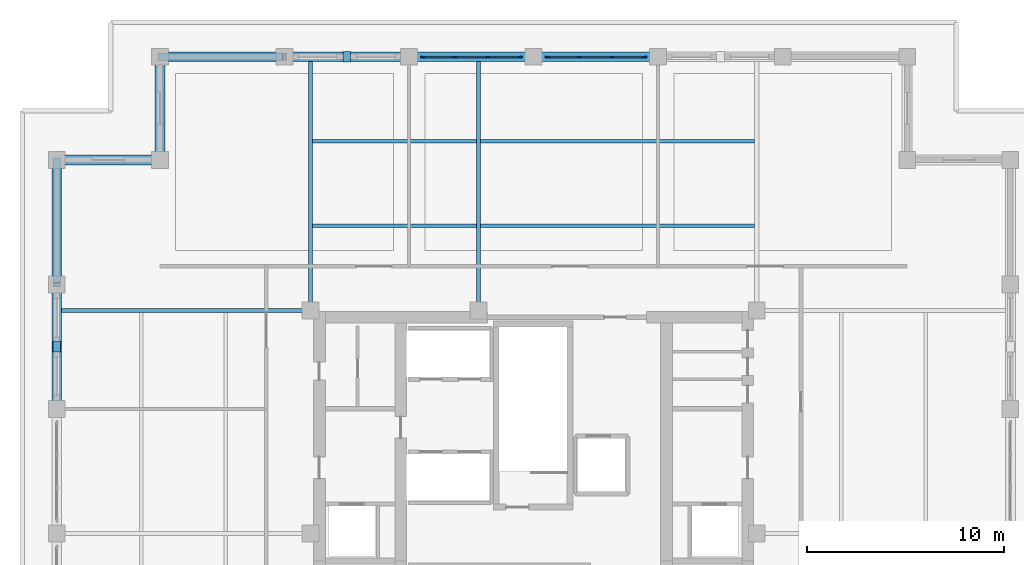
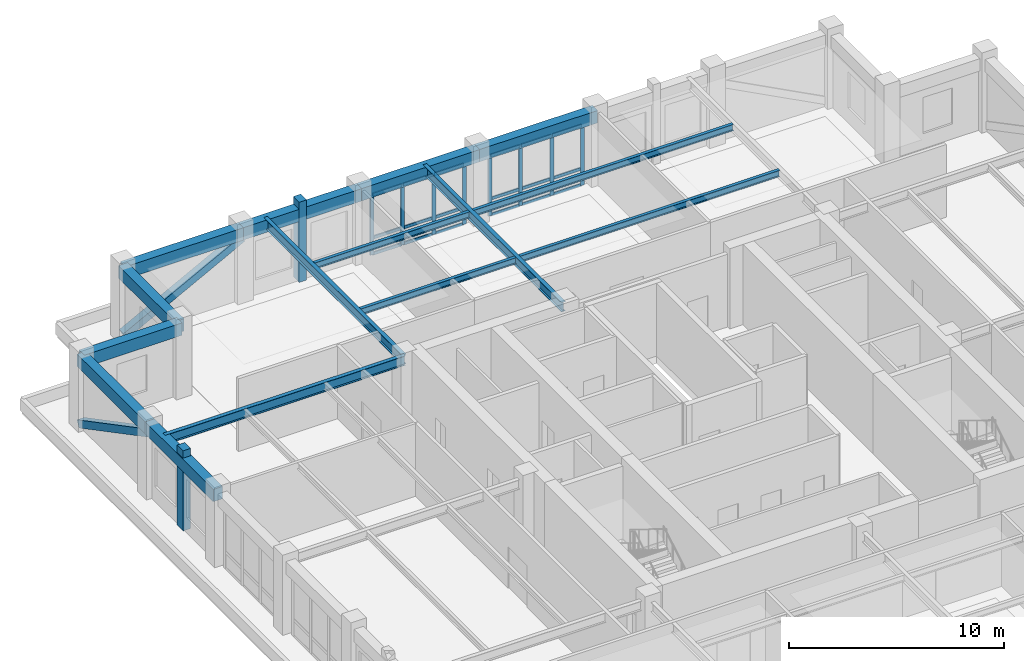
# One storey, part 5 of 14: 30 members, 15 beams, 2 elements without a shape of their own.
"""IFC4 building model written with IfcOpenShell, lengths in metres."""

import ifcopenshell
import ifcopenshell.guid

model = None  # the IFC model being written
_history = None  # IfcOwnerHistory: only IFC2X3 demands one
_inside = {}  # id of a spatial element -> (the spatial element, [elements in it])
_under = {}  # id of a project, library or spatial element -> (it, [spatial elements below it])
_declared = {}  # id of a project -> (the project, [libraries it declares])
_typed = {}  # id of a type object -> (the type object, [elements of that type])
_made_of = {}  # id of a material, layer set ... -> (it, [elements and type objects made of it])


def new_model(schema):
    """Start an empty IFC model of exactly this schema.

    Asked for "IFC4X3", IfcOpenShell would pick the latest addendum, in which some entities
    have other attributes; the version numbers below select the first issue.
    IFC2X3 requires an IfcOwnerHistory on every rooted entity: one is made here for all.
    """
    global model, _history
    if schema == "IFC4X3":
        model = ifcopenshell.file(schema_version=(4, 3, 0, 0))
    else:
        model = ifcopenshell.file(schema=schema)
    _inside.clear()
    _under.clear()
    _declared.clear()
    _typed.clear()
    _made_of.clear()
    _history = None
    if model.schema == "IFC2X3":
        org = make("IfcOrganization", Name="unknown")
        user = make(
            "IfcPersonAndOrganization",
            ThePerson=make("IfcPerson", FamilyName="unknown"),
            TheOrganization=org,
        )
        app = make(
            "IfcApplication",
            ApplicationDeveloper=org,
            Version="unknown",
            ApplicationFullName="unknown",
            ApplicationIdentifier="unknown",
        )
        _history = make(
            "IfcOwnerHistory",
            OwningUser=user,
            OwningApplication=app,
            ChangeAction="ADDED",
            CreationDate=0,
        )
    return model


def make(cls, **values):
    """One entity of the class cls with the attributes given. An attribute that is None is left unset."""
    return model.create_entity(
        cls, **{name: value for name, value in values.items() if value is not None}
    )


def rooted(cls, **values):
    """An entity with a GlobalId (a new one), such as an element, a storey or a relation."""
    return make(cls, GlobalId=ifcopenshell.guid.new(), OwnerHistory=_history, **values)


def si_unit(unit_type, name, prefix=None):
    """IfcSIUnit, for example si_unit("LENGTHUNIT", "METRE", prefix="MILLI")."""
    return make("IfcSIUnit", UnitType=unit_type, Prefix=prefix, Name=name)


def assignment(units):
    """IfcUnitAssignment: the units of a project."""
    return None if units is None else make("IfcUnitAssignment", Units=units)


def point(xyz):
    """IfcCartesianPoint."""
    return None if xyz is None else make("IfcCartesianPoint", Coordinates=xyz)


def direction(xyz):
    """IfcDirection."""
    return None if xyz is None else make("IfcDirection", DirectionRatios=xyz)


def frame(location, z_axis=None, x_axis=None):
    """IfcAxis2Placement3D, a coordinate frame: its origin and axes. An axis left out is left unset."""
    return make(
        "IfcAxis2Placement3D",
        Location=point(location),
        Axis=direction(z_axis),
        RefDirection=direction(x_axis),
    )


def frame_2d(location, x_axis=None):
    """IfcAxis2Placement2D, a coordinate frame in the plane: its origin and x axis."""
    return make(
        "IfcAxis2Placement2D", Location=point(location), RefDirection=direction(x_axis)
    )


def origin():
    """The frame at (0, 0, 0) with its axes left unset."""
    return frame((0.0, 0.0, 0.0))


def origin_2d():
    """The frame at (0, 0) in the plane with its x axis left unset."""
    return frame_2d((0.0, 0.0))


def place(relative_to, where):
    """IfcLocalPlacement: puts the frame where relative to a parent placement (None: the world)."""
    return make(
        "IfcLocalPlacement", PlacementRelTo=relative_to, RelativePlacement=where
    )


def context(
    kind, dimensions, precision=None, world=None, true_north=None, identifier=None
):
    """IfcGeometricRepresentationContext, for example the 3D "Model" context."""
    return make(
        "IfcGeometricRepresentationContext",
        ContextIdentifier=identifier,
        ContextType=kind,
        CoordinateSpaceDimension=dimensions,
        Precision=precision,
        WorldCoordinateSystem=world,
        TrueNorth=true_north,
    )


def subcontext(parent, identifier, kind, view, scale=None):
    """IfcGeometricRepresentationSubContext, for example "Body" below "Model"."""
    return make(
        "IfcGeometricRepresentationSubContext",
        ContextIdentifier=identifier,
        ContextType=kind,
        ParentContext=parent,
        TargetScale=scale,
        TargetView=view,
    )


def project(units=None, contexts=None):
    """IfcProject with its units and contexts."""
    return rooted(
        "IfcProject",
        Name="project",
        RepresentationContexts=contexts,
        UnitsInContext=assignment(units),
    )


def spatial(cls, under=None, at=None, **own):
    """A site, building, storey or space (cls), placed at a placement, below another one or the project."""
    s = rooted(cls, ObjectPlacement=at, **own)
    if under is not None:
        _under.setdefault(under.id(), (under, []))[1].append(s)
    return s


def profile(cls, at=None, kind="AREA", **sizes):
    """A parametric profile (cls). Its sizes go by their IFC names, for example OverallWidth=200.0."""
    return make(cls, ProfileType=kind, Position=at, **sizes)


def rectangle(**sizes):
    """IfcRectangleProfileDef."""
    return profile("IfcRectangleProfileDef", **sizes)


def hollow_rectangle(**sizes):
    """IfcRectangleHollowProfileDef."""
    return profile("IfcRectangleHollowProfileDef", **sizes)


def i_section(**sizes):
    """IfcIShapeProfileDef."""
    return profile("IfcIShapeProfileDef", **sizes)


def extrude(swept, where, along, depth):
    """IfcExtrudedAreaSolid: the profile swept, set in the frame where, extruded along a direction by depth."""
    return make(
        "IfcExtrudedAreaSolid",
        SweptArea=swept,
        Position=where,
        ExtrudedDirection=direction(along),
        Depth=depth,
    )


def shape(context_of_items, identifier, shape_type, items):
    """IfcShapeRepresentation: the items that make up one representation, for example the "Body"."""
    return make(
        "IfcShapeRepresentation",
        ContextOfItems=context_of_items,
        RepresentationIdentifier=identifier,
        RepresentationType=shape_type,
        Items=items,
    )


def material(Name=None, Category=None):
    """IfcMaterial."""
    return make("IfcMaterial", Name=Name, Category=Category)


def layer(
    of_material, thickness, ventilated=None, Name=None, Category=None, Priority=None
):
    """IfcMaterialLayer: one layer of a wall or slab, of a material (None: an air gap)."""
    return make(
        "IfcMaterialLayer",
        Material=of_material,
        LayerThickness=thickness,
        IsVentilated=ventilated,
        Name=Name,
        Category=Category,
        Priority=Priority,
    )


def layer_set(layers, Name=None):
    """IfcMaterialLayerSet."""
    return make("IfcMaterialLayerSet", MaterialLayers=layers, LayerSetName=Name)


def material_profile(
    of_material, cross_section, Name=None, Category=None, Priority=None
):
    """IfcMaterialProfile: a cross section and its material."""
    return make(
        "IfcMaterialProfile",
        Name=Name,
        Material=of_material,
        Profile=cross_section,
        Priority=Priority,
        Category=Category,
    )


def profile_set(profiles, Name=None, composite=None):
    """IfcMaterialProfileSet."""
    return make(
        "IfcMaterialProfileSet",
        Name=Name,
        MaterialProfiles=profiles,
        CompositeProfile=composite,
    )


def made_of(thing, what):
    """Note that an element or type object is made of a material, layer set ...; save() writes the relation."""
    if what is not None:
        _made_of.setdefault(what.id(), (what, []))[1].append(thing)
    return thing


def type_object(cls, material=None, **own):
    """A type object (cls), such as IfcWallType, which elements share."""
    return made_of(rooted(cls, **own), material)


def element(
    cls,
    number,
    at=None,
    inside=None,
    cuts=None,
    type_object=None,
    material=None,
    context=None,
    identifier="Body",
    shape_type=None,
    held_by="IfcProductDefinitionShape",
    body=None,
    shapes=None,
    **own,
):
    """One element of the class cls, such as IfcWall. Its Tag is "e" and its number.

    at: its placement. inside: the storey or other place that contains it. cuts: it is an
    opening in that element (IfcRelVoidsElement). A single representation is given by context,
    identifier, shape_type and body (its items); several are given by shapes. held_by: the class
    of the entity that holds the representations. save() writes the other relations.
    """
    e = rooted(cls, Tag="e%d" % number, ObjectPlacement=at, **own)
    if body is not None:
        shapes = [shape(context, identifier, shape_type, body)]
    if shapes is not None:
        e.Representation = make(held_by, Representations=shapes)
    if inside is not None:
        _inside.setdefault(inside.id(), (inside, []))[1].append(e)
    if cuts is not None:
        rooted(
            "IfcRelVoidsElement", RelatingBuildingElement=cuts, RelatedOpeningElement=e
        )
    if type_object is not None:
        _typed.setdefault(type_object.id(), (type_object, []))[1].append(e)
    return made_of(e, material)


def aggregate(whole, parts):
    """IfcRelAggregates: a whole, such as a stair, and the parts it consists of."""
    return rooted("IfcRelAggregates", RelatingObject=whole, RelatedObjects=parts)


def save(model, path):
    """Write the relations noted so far, then the file.

    IfcRelAggregates (storeys below a building ...), IfcRelContainedInSpatialStructure (elements
    in a storey), IfcRelDefinesByType, IfcRelAssociatesMaterial and IfcRelDeclares: one each for
    every whole, place, type object, material and project.
    """
    for whole, parts in _under.values():
        aggregate(whole, parts)
    for where, things in _inside.values():
        rooted(
            "IfcRelContainedInSpatialStructure",
            RelatedElements=things,
            RelatingStructure=where,
        )
    for kind, things in _typed.values():
        rooted("IfcRelDefinesByType", RelatedObjects=things, RelatingType=kind)
    for what, things in _made_of.values():
        rooted("IfcRelAssociatesMaterial", RelatedObjects=things, RelatingMaterial=what)
    for by, libraries in _declared.values():
        rooted("IfcRelDeclares", RelatingContext=by, RelatedDefinitions=libraries)
    model.write(path)


model = new_model("IFC4")

# Units and contexts
model_context = context("Model", 3, precision=1e-05, world=origin(), true_north=direction((0.0, 1.0)))
body_context = subcontext(model_context, "Body", "Model", "MODEL_VIEW")
ifc_project = project(units=[si_unit("LENGTHUNIT", "METRE"), si_unit("AREAUNIT", "SQUARE_METRE"), si_unit("VOLUMEUNIT", "CUBIC_METRE"), si_unit("PLANEANGLEUNIT", "RADIAN"), si_unit("MASSUNIT", "GRAM", prefix="KILO")], contexts=[model_context])

# Site, building, storey
site_placement = place(None, origin())
site = spatial("IfcSite", under=ifc_project, at=site_placement, CompositionType="ELEMENT")
building_placement = place(site_placement, origin())
building = spatial("IfcBuilding", under=site, at=building_placement, Name="Nhamokura Convention Tower", CompositionType="ELEMENT")
storey_placement = place(building_placement, frame((0.0, 0.0, 182.35009765625)))
storey = spatial("IfcBuildingStorey", under=building, at=storey_placement, Name="L44", CompositionType="ELEMENT", Elevation=182.35009765625)

# Members
ifc_material_1 = material(Name="Bronze-pigmented precast concrete C45/55", Category="concrete")
ifc_material_profile_1 = material_profile(ifc_material_1, rectangle(XDim=0.39990234375, YDim=0.550048828125, at=origin_2d()))
ifc_profile_set_1 = profile_set([ifc_material_profile_1], Name="Bronze-pigmented precast concrete C45/55")
member_type_1 = type_object("IfcMemberType", Name="BronzePilaster_550", PredefinedType="USERDEFINED", material=ifc_profile_set_1)
for number, where, z_axis, x_axis, name in (
    (1, (22.5, 56.25, 0.0), (0.0, 0.0, 1.0), (1.0, 0.0, 0.0), "L44 Engaged Frame Pilaster NORTH 1"),
    (2, (7.75, 41.5, 0.0), (0.0, 0.0, 1.0), (1.0, 0.0, 0.0), "L44 Engaged Frame Pilaster WEST 4"),
):
    element("IfcMember", number, at=place(storey_placement, frame(where, z_axis=z_axis, x_axis=x_axis)), inside=storey, type_object=member_type_1, Name=name, ObjectType="PILASTER_TRIM", PredefinedType="USERDEFINED", context=body_context, shape_type="SweptSolid", body=[
        extrude(rectangle(XDim=0.39990234375, YDim=0.550048828125, at=origin_2d()), origin(), (0.0, 0.0, 1.0), 4.5498046875),
    ])

# Curtain wall, members
ifc_material_2 = material(Name="Anodised bronze aluminium AA6063-T6", Category="aluminium")
ifc_layer = layer(ifc_material_2, 0.18994140625)
ifc_layer_set = layer_set([ifc_layer], Name="CWSystem_SkyLobby")
curtain_wall_type = type_object("IfcCurtainWallType", Name="CWSystem_SkyLobby", PredefinedType="NOTDEFINED", material=ifc_layer_set)
curtain_wall_1_placement = place(storey_placement, origin())
curtain_wall_1 = element("IfcCurtainWall", 3, at=curtain_wall_1_placement, inside=storey, type_object=curtain_wall_type, Name="L44 Curtain Wall ENV-L44-CW-N2", PredefinedType="NOTDEFINED")
ifc_material_3 = material(Name="Anodised bronze aluminium AA6063-T6", Category="aluminium")
ifc_material_profile_2 = material_profile(ifc_material_3, rectangle(XDim=0.074951171875, YDim=0.199951171875, at=origin_2d()))
ifc_profile_set_2 = profile_set([ifc_material_profile_2], Name="Anodised bronze aluminium AA6063-T6")
member_type_2 = type_object("IfcMemberType", Name="CWMullion_2", PredefinedType="MULLION", material=ifc_profile_set_2)
member_1_placement = place(storey_placement, frame((26.354248046875, 56.25, 0.0), z_axis=(0.0, 0.0, 1.0), x_axis=(0.0, 1.0, 0.0)))
member_1 = element("IfcMember", 4, at=member_1_placement, type_object=member_type_2, Name="CW-06 mullion 1", PredefinedType="MULLION", context=body_context, shape_type="SweptSolid", body=[
    extrude(rectangle(XDim=0.074951171875, YDim=0.199951171875, at=origin_2d()), origin(), (0.0, 0.0, 1.0), 3.429931640625),
])
member_2_placement = place(storey_placement, frame((27.994384765625, 56.25, 0.0), z_axis=(0.0, 0.0, 1.0), x_axis=(0.0, 1.0, 0.0)))
member_2 = element("IfcMember", 5, at=member_2_placement, type_object=member_type_2, Name="CW-06 mullion 2", PredefinedType="MULLION", context=body_context, shape_type="SweptSolid", body=[
    extrude(rectangle(XDim=0.074951171875, YDim=0.199951171875, at=origin_2d()), origin(), (0.0, 0.0, 1.0), 3.429931640625),
])
member_3_placement = place(storey_placement, frame((29.672119140625, 56.25, 0.0), z_axis=(0.0, 0.0, 1.0), x_axis=(0.0, 1.0, 0.0)))
member_3 = element("IfcMember", 6, at=member_3_placement, type_object=member_type_2, Name="CW-06 mullion 3", PredefinedType="MULLION", context=body_context, shape_type="SweptSolid", body=[
    extrude(rectangle(XDim=0.074951171875, YDim=0.199951171875, at=origin_2d()), origin(), (0.0, 0.0, 1.0), 3.429931640625),
])
member_4_placement = place(storey_placement, frame((31.3125, 56.25, 0.0), z_axis=(0.0, 0.0, 1.0), x_axis=(0.0, 1.0, 0.0)))
member_4 = element("IfcMember", 7, at=member_4_placement, type_object=member_type_2, Name="CW-06 mullion 4", PredefinedType="MULLION", context=body_context, shape_type="SweptSolid", body=[
    extrude(rectangle(XDim=0.074951171875, YDim=0.199951171875, at=origin_2d()), origin(), (0.0, 0.0, 1.0), 3.429931640625),
])

curtain_wall_2_placement = place(storey_placement, origin())
curtain_wall_2 = element("IfcCurtainWall", 8, at=curtain_wall_2_placement, inside=storey, type_object=curtain_wall_type, Name="L44 Curtain Wall ENV-L44-CW-N3", PredefinedType="NOTDEFINED")
member_5_placement = place(storey_placement, frame((32.6875, 56.25, 0.0), z_axis=(0.0, 0.0, 1.0), x_axis=(0.0, 1.0, 0.0)))
member_5 = element("IfcMember", 9, at=member_5_placement, type_object=member_type_2, Name="CW-06 mullion 1", PredefinedType="MULLION", context=body_context, shape_type="SweptSolid", body=[
    extrude(rectangle(XDim=0.074951171875, YDim=0.199951171875, at=origin_2d()), origin(), (0.0, 0.0, 1.0), 3.429931640625),
])
member_6_placement = place(storey_placement, frame((34.327880859375, 56.25, 0.0), z_axis=(0.0, 0.0, 1.0), x_axis=(0.0, 1.0, 0.0)))
member_6 = element("IfcMember", 10, at=member_6_placement, type_object=member_type_2, Name="CW-06 mullion 2", PredefinedType="MULLION", context=body_context, shape_type="SweptSolid", body=[
    extrude(rectangle(XDim=0.074951171875, YDim=0.199951171875, at=origin_2d()), origin(), (0.0, 0.0, 1.0), 3.429931640625),
])
member_7_placement = place(storey_placement, frame((36.005615234375, 56.25, 0.0), z_axis=(0.0, 0.0, 1.0), x_axis=(0.0, 1.0, 0.0)))
member_7 = element("IfcMember", 11, at=member_7_placement, type_object=member_type_2, Name="CW-06 mullion 3", PredefinedType="MULLION", context=body_context, shape_type="SweptSolid", body=[
    extrude(rectangle(XDim=0.074951171875, YDim=0.199951171875, at=origin_2d()), origin(), (0.0, 0.0, 1.0), 3.429931640625),
])
member_8_placement = place(storey_placement, frame((37.645751953125, 56.25, 0.0), z_axis=(0.0, 0.0, 1.0), x_axis=(0.0, 1.0, 0.0)))
member_8 = element("IfcMember", 12, at=member_8_placement, type_object=member_type_2, Name="CW-06 mullion 4", PredefinedType="MULLION", context=body_context, shape_type="SweptSolid", body=[
    extrude(rectangle(XDim=0.074951171875, YDim=0.199951171875, at=origin_2d()), origin(), (0.0, 0.0, 1.0), 3.429931640625),
])

# Member
ifc_material_4 = material(Name="Anodised bronze aluminium AA6063-T6", Category="aluminium")
ifc_material_profile_3 = material_profile(ifc_material_4, rectangle(XDim=0.074951171875, YDim=0.169921875, at=origin_2d()))
ifc_profile_set_3 = profile_set([ifc_material_profile_3], Name="Anodised bronze aluminium AA6063-T6")
member_type_3 = type_object("IfcMemberType", Name="CWTransom_2", PredefinedType="USERDEFINED", material=ifc_profile_set_3)
member_9_placement = place(storey_placement, frame((26.3916015625, 56.25, 0.037353515625), z_axis=(1.0, 0.0, 0.0), x_axis=(0.0, 1.0, 0.0)))
member_9 = element("IfcMember", 13, at=member_9_placement, type_object=member_type_3, Name="CW-06 transom 1.1", ObjectType="TRANSOM", PredefinedType="USERDEFINED", context=body_context, shape_type="SweptSolid", body=[
    extrude(rectangle(XDim=0.074951171875, YDim=0.169921875, at=origin_2d()), origin(), (0.0, 0.0, 1.0), 1.5654296875),
])

member_10_placement = place(storey_placement, frame((26.3916015625, 56.25, 0.949951171875), z_axis=(1.0, 0.0, 0.0), x_axis=(0.0, 1.0, 0.0)))
member_10 = element("IfcMember", 14, at=member_10_placement, type_object=member_type_3, Name="CW-06 transom 1.2", ObjectType="TRANSOM", PredefinedType="USERDEFINED", context=body_context, shape_type="SweptSolid", body=[
    extrude(rectangle(XDim=0.074951171875, YDim=0.169921875, at=origin_2d()), origin(), (0.0, 0.0, 1.0), 1.5654296875),
])

member_11_placement = place(storey_placement, frame((26.3916015625, 56.25, 3.392333984375), z_axis=(1.0, 0.0, 0.0), x_axis=(0.0, 1.0, 0.0)))
member_11 = element("IfcMember", 15, at=member_11_placement, type_object=member_type_3, Name="CW-06 transom 1.3", ObjectType="TRANSOM", PredefinedType="USERDEFINED", context=body_context, shape_type="SweptSolid", body=[
    extrude(rectangle(XDim=0.074951171875, YDim=0.169921875, at=origin_2d()), origin(), (0.0, 0.0, 1.0), 1.5654296875),
])

member_12_placement = place(storey_placement, frame((28.031982421875, 56.25, 0.037353515625), z_axis=(1.0, 0.0, 0.0), x_axis=(0.0, 1.0, 0.0)))
member_12 = element("IfcMember", 16, at=member_12_placement, type_object=member_type_3, Name="CW-06 transom 2.1", ObjectType="TRANSOM", PredefinedType="USERDEFINED", context=body_context, shape_type="SweptSolid", body=[
    extrude(rectangle(XDim=0.074951171875, YDim=0.169921875, at=origin_2d()), origin(), (0.0, 0.0, 1.0), 1.602783203125),
])

member_13_placement = place(storey_placement, frame((28.031982421875, 56.25, 0.949951171875), z_axis=(1.0, 0.0, 0.0), x_axis=(0.0, 1.0, 0.0)))
member_13 = element("IfcMember", 17, at=member_13_placement, type_object=member_type_3, Name="CW-06 transom 2.2", ObjectType="TRANSOM", PredefinedType="USERDEFINED", context=body_context, shape_type="SweptSolid", body=[
    extrude(rectangle(XDim=0.074951171875, YDim=0.169921875, at=origin_2d()), origin(), (0.0, 0.0, 1.0), 1.602783203125),
])

member_14_placement = place(storey_placement, frame((28.031982421875, 56.25, 3.392333984375), z_axis=(1.0, 0.0, 0.0), x_axis=(0.0, 1.0, 0.0)))
member_14 = element("IfcMember", 18, at=member_14_placement, type_object=member_type_3, Name="CW-06 transom 2.3", ObjectType="TRANSOM", PredefinedType="USERDEFINED", context=body_context, shape_type="SweptSolid", body=[
    extrude(rectangle(XDim=0.074951171875, YDim=0.169921875, at=origin_2d()), origin(), (0.0, 0.0, 1.0), 1.602783203125),
])

member_15_placement = place(storey_placement, frame((29.709716796875, 56.25, 0.037353515625), z_axis=(1.0, 0.0, 0.0), x_axis=(0.0, 1.0, 0.0)))
member_15 = element("IfcMember", 19, at=member_15_placement, type_object=member_type_3, Name="CW-06 transom 3.1", ObjectType="TRANSOM", PredefinedType="USERDEFINED", context=body_context, shape_type="SweptSolid", body=[
    extrude(rectangle(XDim=0.074951171875, YDim=0.169921875, at=origin_2d()), origin(), (0.0, 0.0, 1.0), 1.565185546875),
])

member_16_placement = place(storey_placement, frame((29.709716796875, 56.25, 0.949951171875), z_axis=(1.0, 0.0, 0.0), x_axis=(0.0, 1.0, 0.0)))
member_16 = element("IfcMember", 20, at=member_16_placement, type_object=member_type_3, Name="CW-06 transom 3.2", ObjectType="TRANSOM", PredefinedType="USERDEFINED", context=body_context, shape_type="SweptSolid", body=[
    extrude(rectangle(XDim=0.074951171875, YDim=0.169921875, at=origin_2d()), origin(), (0.0, 0.0, 1.0), 1.565185546875),
])

member_17_placement = place(storey_placement, frame((29.709716796875, 56.25, 3.392333984375), z_axis=(1.0, 0.0, 0.0), x_axis=(0.0, 1.0, 0.0)))
member_17 = element("IfcMember", 21, at=member_17_placement, type_object=member_type_3, Name="CW-06 transom 3.3", ObjectType="TRANSOM", PredefinedType="USERDEFINED", context=body_context, shape_type="SweptSolid", body=[
    extrude(rectangle(XDim=0.074951171875, YDim=0.169921875, at=origin_2d()), origin(), (0.0, 0.0, 1.0), 1.565185546875),
])

aggregate(curtain_wall_1, [member_1, member_2, member_3, member_4, member_9, member_10, member_11, member_12, member_13, member_14, member_15, member_16, member_17])

member_18_placement = place(storey_placement, frame((32.72509765625, 56.25, 0.037353515625), z_axis=(1.0, 0.0, 0.0), x_axis=(0.0, 1.0, 0.0)))
member_18 = element("IfcMember", 22, at=member_18_placement, type_object=member_type_3, Name="CW-06 transom 1.1", ObjectType="TRANSOM", PredefinedType="USERDEFINED", context=body_context, shape_type="SweptSolid", body=[
    extrude(rectangle(XDim=0.074951171875, YDim=0.169921875, at=origin_2d()), origin(), (0.0, 0.0, 1.0), 1.565185546875),
])

member_19_placement = place(storey_placement, frame((32.72509765625, 56.25, 0.949951171875), z_axis=(1.0, 0.0, 0.0), x_axis=(0.0, 1.0, 0.0)))
member_19 = element("IfcMember", 23, at=member_19_placement, type_object=member_type_3, Name="CW-06 transom 1.2", ObjectType="TRANSOM", PredefinedType="USERDEFINED", context=body_context, shape_type="SweptSolid", body=[
    extrude(rectangle(XDim=0.074951171875, YDim=0.169921875, at=origin_2d()), origin(), (0.0, 0.0, 1.0), 1.565185546875),
])

member_20_placement = place(storey_placement, frame((32.72509765625, 56.25, 3.392333984375), z_axis=(1.0, 0.0, 0.0), x_axis=(0.0, 1.0, 0.0)))
member_20 = element("IfcMember", 24, at=member_20_placement, type_object=member_type_3, Name="CW-06 transom 1.3", ObjectType="TRANSOM", PredefinedType="USERDEFINED", context=body_context, shape_type="SweptSolid", body=[
    extrude(rectangle(XDim=0.074951171875, YDim=0.169921875, at=origin_2d()), origin(), (0.0, 0.0, 1.0), 1.565185546875),
])

member_21_placement = place(storey_placement, frame((34.365234375, 56.25, 0.037353515625), z_axis=(1.0, 0.0, 0.0), x_axis=(0.0, 1.0, 0.0)))
member_21 = element("IfcMember", 25, at=member_21_placement, type_object=member_type_3, Name="CW-06 transom 2.1", ObjectType="TRANSOM", PredefinedType="USERDEFINED", context=body_context, shape_type="SweptSolid", body=[
    extrude(rectangle(XDim=0.074951171875, YDim=0.169921875, at=origin_2d()), origin(), (0.0, 0.0, 1.0), 1.602783203125),
])

member_22_placement = place(storey_placement, frame((34.365234375, 56.25, 0.949951171875), z_axis=(1.0, 0.0, 0.0), x_axis=(0.0, 1.0, 0.0)))
member_22 = element("IfcMember", 26, at=member_22_placement, type_object=member_type_3, Name="CW-06 transom 2.2", ObjectType="TRANSOM", PredefinedType="USERDEFINED", context=body_context, shape_type="SweptSolid", body=[
    extrude(rectangle(XDim=0.074951171875, YDim=0.169921875, at=origin_2d()), origin(), (0.0, 0.0, 1.0), 1.602783203125),
])

member_23_placement = place(storey_placement, frame((34.365234375, 56.25, 3.392333984375), z_axis=(1.0, 0.0, 0.0), x_axis=(0.0, 1.0, 0.0)))
member_23 = element("IfcMember", 27, at=member_23_placement, type_object=member_type_3, Name="CW-06 transom 2.3", ObjectType="TRANSOM", PredefinedType="USERDEFINED", context=body_context, shape_type="SweptSolid", body=[
    extrude(rectangle(XDim=0.074951171875, YDim=0.169921875, at=origin_2d()), origin(), (0.0, 0.0, 1.0), 1.602783203125),
])

member_24_placement = place(storey_placement, frame((36.04296875, 56.25, 0.037353515625), z_axis=(1.0, 0.0, 0.0), x_axis=(0.0, 1.0, 0.0)))
member_24 = element("IfcMember", 28, at=member_24_placement, type_object=member_type_3, Name="CW-06 transom 3.1", ObjectType="TRANSOM", PredefinedType="USERDEFINED", context=body_context, shape_type="SweptSolid", body=[
    extrude(rectangle(XDim=0.074951171875, YDim=0.169921875, at=origin_2d()), origin(), (0.0, 0.0, 1.0), 1.5654296875),
])

member_25_placement = place(storey_placement, frame((36.04296875, 56.25, 0.949951171875), z_axis=(1.0, 0.0, 0.0), x_axis=(0.0, 1.0, 0.0)))
member_25 = element("IfcMember", 29, at=member_25_placement, type_object=member_type_3, Name="CW-06 transom 3.2", ObjectType="TRANSOM", PredefinedType="USERDEFINED", context=body_context, shape_type="SweptSolid", body=[
    extrude(rectangle(XDim=0.074951171875, YDim=0.169921875, at=origin_2d()), origin(), (0.0, 0.0, 1.0), 1.5654296875),
])

member_26_placement = place(storey_placement, frame((36.04296875, 56.25, 3.392333984375), z_axis=(1.0, 0.0, 0.0), x_axis=(0.0, 1.0, 0.0)))
member_26 = element("IfcMember", 30, at=member_26_placement, type_object=member_type_3, Name="CW-06 transom 3.3", ObjectType="TRANSOM", PredefinedType="USERDEFINED", context=body_context, shape_type="SweptSolid", body=[
    extrude(rectangle(XDim=0.074951171875, YDim=0.169921875, at=origin_2d()), origin(), (0.0, 0.0, 1.0), 1.5654296875),
])

aggregate(curtain_wall_2, [member_5, member_6, member_7, member_8, member_18, member_19, member_20, member_21, member_22, member_23, member_24, member_25, member_26])

# Beams
ifc_material_5 = material(Name="Steel ASTM A992 Gr 50", Category="steel")
ifc_material_profile_4 = material_profile(ifc_material_5, i_section(OverallWidth=0.172119140625, OverallDepth=0.35791015625, WebThickness=0.0078125, FlangeThickness=0.01318359375, at=origin_2d()))
ifc_profile_set_4 = profile_set([ifc_material_profile_4], Name="Steel ASTM A992 Gr 50")
beam_type_1 = type_object("IfcBeamType", Name="FloorJoist_W360X57", PredefinedType="JOIST", material=ifc_profile_set_4)
beam_1_placement = place(storey_placement, frame((20.75341796875, 47.64990234375, 3.950927734375), z_axis=(1.0, 0.0, 0.0), x_axis=(0.0, 1.0, 0.0)))
element("IfcBeam", 31, at=beam_1_placement, inside=storey, type_object=beam_type_1, Name="L44 Composite Floor Joist N1A", PredefinedType="JOIST", context=body_context, shape_type="SweptSolid", body=[
    extrude(i_section(OverallWidth=0.172119140625, OverallDepth=0.35791015625, WebThickness=0.0078125, FlangeThickness=0.01318359375, at=origin_2d()), origin(), (0.0, 0.0, 1.0), 8.343017578125),
])
beam_2_placement = place(storey_placement, frame((29.303466796875, 47.64990234375, 3.950927734375), z_axis=(1.0, 0.0, 0.0), x_axis=(0.0, 1.0, 0.0)))
element("IfcBeam", 32, at=beam_2_placement, inside=storey, type_object=beam_type_1, Name="L44 Composite Floor Joist N1B", PredefinedType="JOIST", context=body_context, shape_type="SweptSolid", body=[
    extrude(i_section(OverallWidth=0.172119140625, OverallDepth=0.35791015625, WebThickness=0.0078125, FlangeThickness=0.01318359375, at=origin_2d()), origin(), (0.0, 0.0, 1.0), 13.943115234375),
])
beam_3_placement = place(storey_placement, frame((20.75341796875, 51.949951171875, 3.950927734375), z_axis=(1.0, 0.0, 0.0), x_axis=(0.0, 1.0, 0.0)))
element("IfcBeam", 33, at=beam_3_placement, inside=storey, type_object=beam_type_1, Name="L44 Composite Floor Joist N2A", PredefinedType="JOIST", context=body_context, shape_type="SweptSolid", body=[
    extrude(i_section(OverallWidth=0.172119140625, OverallDepth=0.35791015625, WebThickness=0.0078125, FlangeThickness=0.01318359375, at=origin_2d()), origin(), (0.0, 0.0, 1.0), 8.343017578125),
])
beam_4_placement = place(storey_placement, frame((29.303466796875, 51.949951171875, 3.950927734375), z_axis=(1.0, 0.0, 0.0), x_axis=(0.0, 1.0, 0.0)))
element("IfcBeam", 34, at=beam_4_placement, inside=storey, type_object=beam_type_1, Name="L44 Composite Floor Joist N2B", PredefinedType="JOIST", context=body_context, shape_type="SweptSolid", body=[
    extrude(i_section(OverallWidth=0.172119140625, OverallDepth=0.35791015625, WebThickness=0.0078125, FlangeThickness=0.01318359375, at=origin_2d()), origin(), (0.0, 0.0, 1.0), 13.943115234375),
])
ifc_material_6 = material(Name="Steel ASTM A992 Gr 50", Category="steel")
ifc_material_profile_5 = material_profile(ifc_material_6, i_section(OverallWidth=0.2109375, OverallDepth=0.5390625, WebThickness=0.01171875, FlangeThickness=0.018798828125, at=origin_2d()))
ifc_profile_set_5 = profile_set([ifc_material_profile_5], Name="Steel ASTM A992 Gr 50")
beam_type_2 = type_object("IfcBeamType", Name="PrimaryGirder_W530X109", PredefinedType="BEAM", material=ifc_profile_set_5)
for number, where, z_axis, x_axis, name in (
    (35, (20.64990234375, 43.35009765625, 3.8603515625), (0.0, 1.0, 0.0), (-1.0, 0.0, 0.0), "L44 Primary Floor Girder PG-N1"),
    (36, (29.199951171875, 43.35009765625, 3.8603515625), (0.0, 1.0, 0.0), (-1.0, 0.0, 0.0), "L44 Primary Floor Girder PG-N2"),
    (37, (7.75, 43.35009765625, 3.8603515625), (1.0, 0.0, 0.0), (0.0, 1.0, 0.0), "L44 Primary Floor Girder PG-W3"),
):
    element("IfcBeam", number, at=place(storey_placement, frame(where, z_axis=z_axis, x_axis=x_axis)), inside=storey, type_object=beam_type_2, Name=name, PredefinedType="BEAM", context=body_context, shape_type="SweptSolid", body=[
        extrude(i_section(OverallWidth=0.2109375, OverallDepth=0.5390625, WebThickness=0.01171875, FlangeThickness=0.018798828125, at=origin_2d()), origin(), (0.0, 0.0, 1.0), 12.89990234375),
    ])

# Members
ifc_material_7 = material(Name="Steel ASTM A572 Gr 50", Category="steel")
ifc_material_profile_6 = material_profile(ifc_material_7, hollow_rectangle(XDim=0.39990234375, YDim=0.39990234375, WallThickness=0.02001953125, at=origin_2d()))
ifc_profile_set_6 = profile_set([ifc_material_profile_6], Name="Steel ASTM A572 Gr 50")
member_type_4 = type_object("IfcMemberType", Name="TubeBrace_HSS400", PredefinedType="BRACE", material=ifc_profile_set_6)
for number, where, z_axis, x_axis, name in (
    (38, (13.0, 56.25, 0.14990234375), (0.885103184305, 0.0, 0.46539483574), (0.0, 1.0, 0.0), "L44 Perimeter Tube Brace NORTH Bay 0"),
    (39, (7.75, 51.0, 0.14990234375), (0.0, -0.885103184305, 0.46539483574), (1.0, 0.0, 0.0), "L44 Perimeter Tube Brace WEST Bay 5"),
):
    element("IfcMember", number, at=place(storey_placement, frame(where, z_axis=z_axis, x_axis=x_axis)), inside=storey, type_object=member_type_4, Name=name, PredefinedType="BRACE", context=body_context, shape_type="SweptSolid", body=[
        extrude(hollow_rectangle(XDim=0.39990234375, YDim=0.39990234375, WallThickness=0.02001953125, at=origin_2d()), origin(), (0.0, 0.0, 1.0), 7.1552734375),
    ])

# Beams
ifc_material_8 = material(Name="Concrete C50/60", Category="concrete")
ifc_material_profile_7 = material_profile(ifc_material_8, rectangle(XDim=0.5, YDim=0.699951171875, at=origin_2d()))
ifc_profile_set_7 = profile_set([ifc_material_profile_7], Name="Concrete C50/60")
beam_type_3 = type_object("IfcBeamType", Name="TubeSpandrel_700", PredefinedType="SPANDREL", material=ifc_profile_set_7)
beam_5_placement = place(storey_placement, frame((13.0, 56.25, 3.77978515625), z_axis=(1.0, 0.0, 0.0), x_axis=(0.0, 1.0, 0.0)))
element("IfcBeam", 40, at=beam_5_placement, inside=storey, type_object=beam_type_3, Name="L44 Perimeter Spandrel NORTH 1", PredefinedType="SPANDREL", context=body_context, shape_type="SweptSolid", body=[
    extrude(rectangle(XDim=0.5, YDim=0.699951171875, at=origin_2d()), origin(), (0.0, 0.0, 1.0), 6.333251953125),
])
beam_6_placement = place(storey_placement, frame((19.333251953125, 56.25, 3.77978515625), z_axis=(1.0, 0.0, 0.0), x_axis=(0.0, 1.0, 0.0)))
element("IfcBeam", 41, at=beam_6_placement, inside=storey, type_object=beam_type_3, Name="L44 Perimeter Spandrel NORTH 2", PredefinedType="SPANDREL", context=body_context, shape_type="SweptSolid", body=[
    extrude(rectangle(XDim=0.5, YDim=0.699951171875, at=origin_2d()), origin(), (0.0, 0.0, 1.0), 6.33349609375),
])
for number, where, z_axis, x_axis, name in (
    (42, (25.666748046875, 56.25, 3.77978515625), (1.0, 0.0, 0.0), (0.0, 1.0, 0.0), "L44 Perimeter Spandrel NORTH 3"),
    (43, (32.0, 56.25, 3.77978515625), (1.0, 0.0, 0.0), (0.0, 1.0, 0.0), "L44 Perimeter Spandrel NORTH 4"),
):
    element("IfcBeam", number, at=place(storey_placement, frame(where, z_axis=z_axis, x_axis=x_axis)), inside=storey, type_object=beam_type_3, Name=name, PredefinedType="SPANDREL", context=body_context, shape_type="SweptSolid", body=[
        extrude(rectangle(XDim=0.5, YDim=0.699951171875, at=origin_2d()), origin(), (0.0, 0.0, 1.0), 6.333251953125),
    ])
beam_7_placement = place(storey_placement, frame((7.75, 38.333251953125, 3.77978515625), z_axis=(0.0, 1.0, 0.0), x_axis=(-1.0, 0.0, 0.0)))
element("IfcBeam", 44, at=beam_7_placement, inside=storey, type_object=beam_type_3, Name="L44 Perimeter Spandrel WEST 5", PredefinedType="SPANDREL", context=body_context, shape_type="SweptSolid", body=[
    extrude(rectangle(XDim=0.5, YDim=0.699951171875, at=origin_2d()), origin(), (0.0, 0.0, 1.0), 6.33349609375),
])
beam_8_placement = place(storey_placement, frame((7.75, 44.666748046875, 3.77978515625), z_axis=(0.0, 1.0, 0.0), x_axis=(-1.0, 0.0, 0.0)))
element("IfcBeam", 45, at=beam_8_placement, inside=storey, type_object=beam_type_3, Name="L44 Perimeter Spandrel WEST 6", PredefinedType="SPANDREL", context=body_context, shape_type="SweptSolid", body=[
    extrude(rectangle(XDim=0.5, YDim=0.699951171875, at=origin_2d()), origin(), (0.0, 0.0, 1.0), 6.333251953125),
])
for number, where, z_axis, x_axis, name in (
    (46, (13.0, 56.25, 3.77978515625), (0.0, -1.0, 0.0), (1.0, 0.0, 0.0), "L44 Notch Spandrel NW1"),
    (47, (13.0, 51.0, 3.77978515625), (-1.0, 0.0, 0.0), (0.0, -1.0, 0.0), "L44 Notch Spandrel NW2"),
):
    element("IfcBeam", number, at=place(storey_placement, frame(where, z_axis=z_axis, x_axis=x_axis)), inside=storey, type_object=beam_type_3, Name=name, PredefinedType="SPANDREL", context=body_context, shape_type="SweptSolid", body=[
        extrude(rectangle(XDim=0.5, YDim=0.699951171875, at=origin_2d()), origin(), (0.0, 0.0, 1.0), 5.25),
    ])

save(model, "model.ifc")
